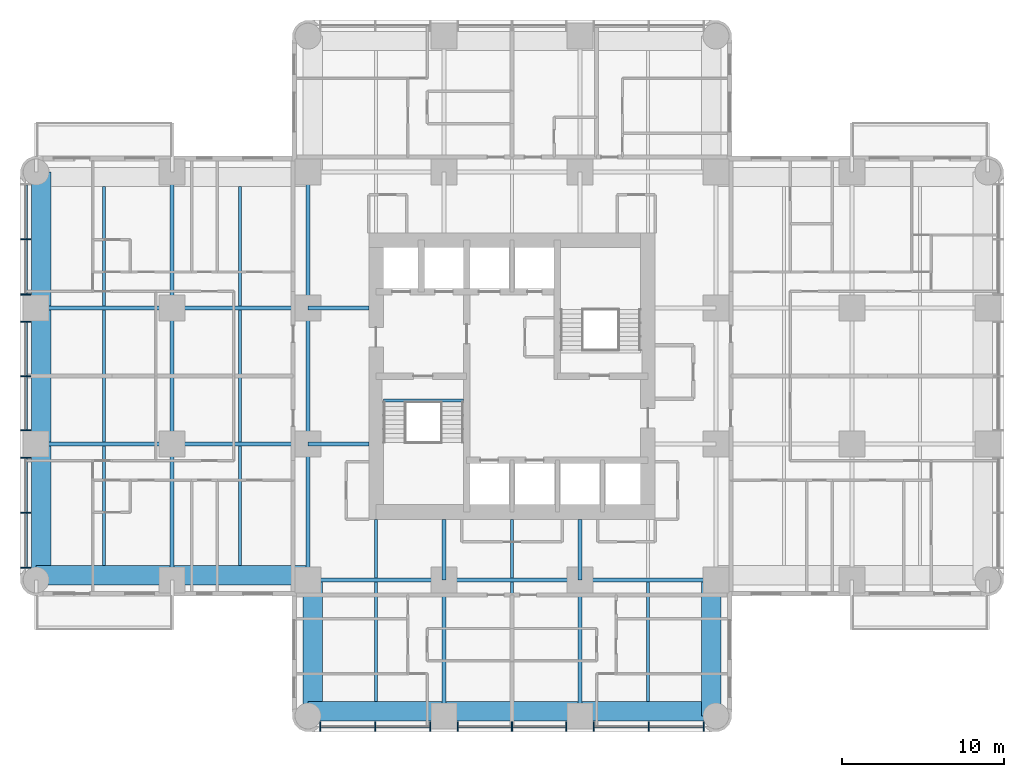
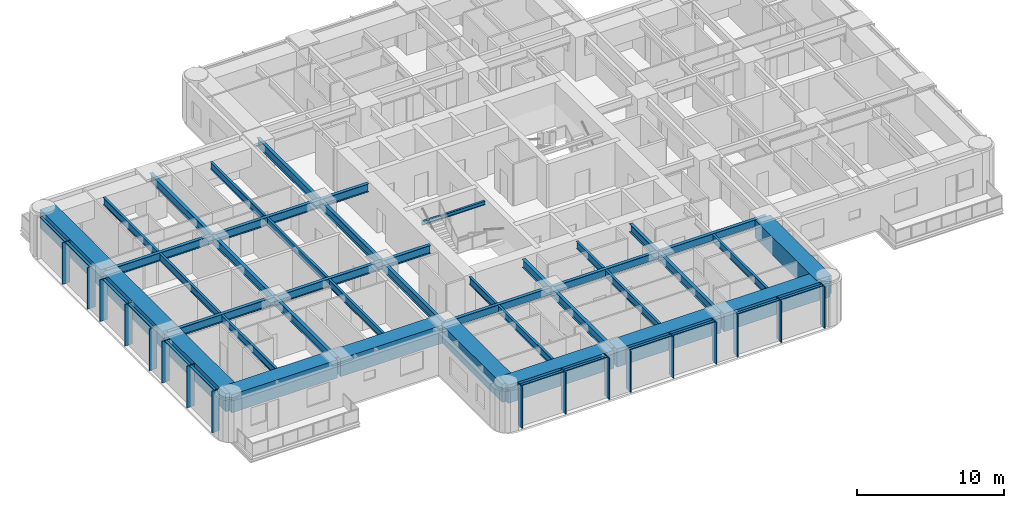
# One storey, part 2 of 15: 41 beams, 29 members, 2 elements without a shape of their own.
"""IFC4 building model written with IfcOpenShell, lengths in metres."""

from ifc_helpers import new_model, si_unit, direction, frame, origin, origin_2d, place, context, subcontext, project, spatial, rectangle, i_section, extrude, material, material_profile, profile_set, type_object, element, aggregate, save


model = new_model("IFC4")

# Units and contexts
model_context = context("Model", 3, precision=1e-05, world=origin(), true_north=direction((0.0, 1.0)))
body_context = subcontext(model_context, "Body", "Model", "MODEL_VIEW")
ifc_project = project(units=[si_unit("LENGTHUNIT", "METRE"), si_unit("AREAUNIT", "SQUARE_METRE"), si_unit("VOLUMEUNIT", "CUBIC_METRE"), si_unit("PLANEANGLEUNIT", "RADIAN"), si_unit("MASSUNIT", "GRAM", prefix="KILO")], contexts=[model_context])

# Site, building, storey
site_placement = place(None, origin())
site = spatial("IfcSite", under=ifc_project, at=site_placement, CompositionType="ELEMENT")
building_placement = place(site_placement, origin())
building = spatial("IfcBuilding", under=site, at=building_placement, Name="Torre Alcanfor", CompositionType="ELEMENT")
storey_placement = place(building_placement, frame((0.0, 0.0, 148.5)))
storey = spatial("IfcBuildingStorey", under=building, at=storey_placement, Name="L38", CompositionType="ELEMENT", Elevation=148.5)

# Curtain wall, members
ifc_material_1 = material(Name="Aluminium and glass", Category="aluminium")
curtain_wall_type = type_object("IfcCurtainWallType", Name="CW-A unitised apartment glazing with vertical FIN", PredefinedType="NOTDEFINED", material=ifc_material_1)
curtain_wall_1_placement = place(storey_placement, origin())
curtain_wall_1 = element("IfcCurtainWall", 1, at=curtain_wall_1_placement, inside=storey, type_object=curtain_wall_type, Name="Curtain wall CW-A L38 2", PredefinedType="NOTDEFINED")
ifc_material_2 = material(Name="Bronze anodised aluminium", Category="aluminium")
ifc_material_profile_1 = material_profile(ifc_material_2, rectangle(XDim=0.60009765625, YDim=0.06494140625, at=origin_2d()), Name="CW-A mullion 65x600")
ifc_profile_set_1 = profile_set([ifc_material_profile_1], Name="Bronze anodised aluminium")
member_type_1 = type_object("IfcMemberType", Name="CW-A mullion with vertical FIN 65x600", PredefinedType="MULLION", material=ifc_profile_set_1)
member_1_placement = place(storey_placement, frame((-0.64990234375, 37.840087890625, 0.0), z_axis=(0.0, 0.0, 1.0), x_axis=(1.0, 0.0, 0.0)))
member_1 = element("IfcMember", 2, at=member_1_placement, type_object=member_type_1, Name="CW-A mullion 1.2", PredefinedType="MULLION", context=body_context, shape_type="SweptSolid", body=[
    extrude(rectangle(XDim=0.60009765625, YDim=0.06494140625, at=origin_2d()), origin(), (0.0, 0.0, 1.0), 3.449951171875),
])
member_2_placement = place(storey_placement, frame((-0.64990234375, 34.4375, 0.0), z_axis=(0.0, 0.0, 1.0), x_axis=(1.0, 0.0, 0.0)))
member_2 = element("IfcMember", 3, at=member_2_placement, type_object=member_type_1, Name="CW-A mullion 1.3", PredefinedType="MULLION", context=body_context, shape_type="SweptSolid", body=[
    extrude(rectangle(XDim=0.60009765625, YDim=0.06494140625, at=origin_2d()), origin(), (0.0, 0.0, 1.0), 3.449951171875),
])
member_3_placement = place(storey_placement, frame((-0.64990234375, 32.762451171875, 0.0), z_axis=(0.0, 0.0, 1.0), x_axis=(1.0, 0.0, 0.0)))
member_3 = element("IfcMember", 4, at=member_3_placement, type_object=member_type_1, Name="CW-A mullion 2.1", PredefinedType="MULLION", context=body_context, shape_type="SweptSolid", body=[
    extrude(rectangle(XDim=0.60009765625, YDim=0.06494140625, at=origin_2d()), origin(), (0.0, 0.0, 1.0), 3.449951171875),
])
member_4_placement = place(storey_placement, frame((-0.64990234375, 29.39990234375, 0.0), z_axis=(0.0, 0.0, 1.0), x_axis=(1.0, 0.0, 0.0)))
member_4 = element("IfcMember", 5, at=member_4_placement, type_object=member_type_1, Name="CW-A mullion 2.2", PredefinedType="MULLION", context=body_context, shape_type="SweptSolid", body=[
    extrude(rectangle(XDim=0.60009765625, YDim=0.06494140625, at=origin_2d()), origin(), (0.0, 0.0, 1.0), 3.449951171875),
])
member_5_placement = place(storey_placement, frame((-0.64990234375, 26.03759765625, 0.0), z_axis=(0.0, 0.0, 1.0), x_axis=(1.0, 0.0, 0.0)))
member_5 = element("IfcMember", 6, at=member_5_placement, type_object=member_type_1, Name="CW-A mullion 2.3", PredefinedType="MULLION", context=body_context, shape_type="SweptSolid", body=[
    extrude(rectangle(XDim=0.60009765625, YDim=0.06494140625, at=origin_2d()), origin(), (0.0, 0.0, 1.0), 3.449951171875),
])
member_6_placement = place(storey_placement, frame((-0.64990234375, 24.362548828125, 0.0), z_axis=(0.0, 0.0, 1.0), x_axis=(1.0, 0.0, 0.0)))
member_6 = element("IfcMember", 7, at=member_6_placement, type_object=member_type_1, Name="CW-A mullion 3.1", PredefinedType="MULLION", context=body_context, shape_type="SweptSolid", body=[
    extrude(rectangle(XDim=0.60009765625, YDim=0.06494140625, at=origin_2d()), origin(), (0.0, 0.0, 1.0), 3.449951171875),
])
member_7_placement = place(storey_placement, frame((-0.64990234375, 20.9599609375, 0.0), z_axis=(0.0, 0.0, 1.0), x_axis=(1.0, 0.0, 0.0)))
member_7 = element("IfcMember", 8, at=member_7_placement, type_object=member_type_1, Name="CW-A mullion 3.2", PredefinedType="MULLION", context=body_context, shape_type="SweptSolid", body=[
    extrude(rectangle(XDim=0.60009765625, YDim=0.06494140625, at=origin_2d()), origin(), (0.0, 0.0, 1.0), 3.449951171875),
])
member_8_placement = place(storey_placement, frame((-0.64990234375, 17.557373046875, 0.0), z_axis=(0.0, 0.0, 1.0), x_axis=(1.0, 0.0, 0.0)))
member_8 = element("IfcMember", 9, at=member_8_placement, type_object=member_type_1, Name="CW-A mullion 3.3", PredefinedType="MULLION", context=body_context, shape_type="SweptSolid", body=[
    extrude(rectangle(XDim=0.60009765625, YDim=0.06494140625, at=origin_2d()), origin(), (0.0, 0.0, 1.0), 3.449951171875),
])

curtain_wall_2_placement = place(storey_placement, origin())
curtain_wall_2 = element("IfcCurtainWall", 10, at=curtain_wall_2_placement, inside=storey, type_object=curtain_wall_type, Name="Curtain wall CW-A L38 5", PredefinedType="NOTDEFINED")
member_9_placement = place(storey_placement, frame((17.557373046875, 7.75, 0.0), z_axis=(0.0, 0.0, 1.0), x_axis=(0.0, 1.0, 0.0)))
member_9 = element("IfcMember", 11, at=member_9_placement, type_object=member_type_1, Name="CW-A mullion 1.1", PredefinedType="MULLION", context=body_context, shape_type="SweptSolid", body=[
    extrude(rectangle(XDim=0.60009765625, YDim=0.06494140625, at=origin_2d()), origin(), (0.0, 0.0, 1.0), 3.449951171875),
])
member_10_placement = place(storey_placement, frame((20.9599609375, 7.75, 0.0), z_axis=(0.0, 0.0, 1.0), x_axis=(0.0, 1.0, 0.0)))
member_10 = element("IfcMember", 12, at=member_10_placement, type_object=member_type_1, Name="CW-A mullion 1.2", PredefinedType="MULLION", context=body_context, shape_type="SweptSolid", body=[
    extrude(rectangle(XDim=0.60009765625, YDim=0.06494140625, at=origin_2d()), origin(), (0.0, 0.0, 1.0), 3.449951171875),
])
member_11_placement = place(storey_placement, frame((24.362548828125, 7.75, 0.0), z_axis=(0.0, 0.0, 1.0), x_axis=(0.0, 1.0, 0.0)))
member_11 = element("IfcMember", 13, at=member_11_placement, type_object=member_type_1, Name="CW-A mullion 1.3", PredefinedType="MULLION", context=body_context, shape_type="SweptSolid", body=[
    extrude(rectangle(XDim=0.60009765625, YDim=0.06494140625, at=origin_2d()), origin(), (0.0, 0.0, 1.0), 3.449951171875),
])
member_12_placement = place(storey_placement, frame((26.03759765625, 7.75, 0.0), z_axis=(0.0, 0.0, 1.0), x_axis=(0.0, 1.0, 0.0)))
member_12 = element("IfcMember", 14, at=member_12_placement, type_object=member_type_1, Name="CW-A mullion 2.1", PredefinedType="MULLION", context=body_context, shape_type="SweptSolid", body=[
    extrude(rectangle(XDim=0.60009765625, YDim=0.06494140625, at=origin_2d()), origin(), (0.0, 0.0, 1.0), 3.449951171875),
])
member_13_placement = place(storey_placement, frame((29.39990234375, 7.75, 0.0), z_axis=(0.0, 0.0, 1.0), x_axis=(0.0, 1.0, 0.0)))
member_13 = element("IfcMember", 15, at=member_13_placement, type_object=member_type_1, Name="CW-A mullion 2.2", PredefinedType="MULLION", context=body_context, shape_type="SweptSolid", body=[
    extrude(rectangle(XDim=0.60009765625, YDim=0.06494140625, at=origin_2d()), origin(), (0.0, 0.0, 1.0), 3.449951171875),
])
member_14_placement = place(storey_placement, frame((32.762451171875, 7.75, 0.0), z_axis=(0.0, 0.0, 1.0), x_axis=(0.0, 1.0, 0.0)))
member_14 = element("IfcMember", 16, at=member_14_placement, type_object=member_type_1, Name="CW-A mullion 2.3", PredefinedType="MULLION", context=body_context, shape_type="SweptSolid", body=[
    extrude(rectangle(XDim=0.60009765625, YDim=0.06494140625, at=origin_2d()), origin(), (0.0, 0.0, 1.0), 3.449951171875),
])
member_15_placement = place(storey_placement, frame((34.4375, 7.75, 0.0), z_axis=(0.0, 0.0, 1.0), x_axis=(0.0, 1.0, 0.0)))
member_15 = element("IfcMember", 17, at=member_15_placement, type_object=member_type_1, Name="CW-A mullion 3.1", PredefinedType="MULLION", context=body_context, shape_type="SweptSolid", body=[
    extrude(rectangle(XDim=0.60009765625, YDim=0.06494140625, at=origin_2d()), origin(), (0.0, 0.0, 1.0), 3.449951171875),
])
member_16_placement = place(storey_placement, frame((37.840087890625, 7.75, 0.0), z_axis=(0.0, 0.0, 1.0), x_axis=(0.0, 1.0, 0.0)))
member_16 = element("IfcMember", 18, at=member_16_placement, type_object=member_type_1, Name="CW-A mullion 3.2", PredefinedType="MULLION", context=body_context, shape_type="SweptSolid", body=[
    extrude(rectangle(XDim=0.60009765625, YDim=0.06494140625, at=origin_2d()), origin(), (0.0, 0.0, 1.0), 3.449951171875),
])
member_17_placement = place(storey_placement, frame((41.24267578125, 7.75, 0.0), z_axis=(0.0, 0.0, 1.0), x_axis=(0.0, 1.0, 0.0)))
member_17 = element("IfcMember", 19, at=member_17_placement, type_object=member_type_1, Name="CW-A mullion 3.3", PredefinedType="MULLION", context=body_context, shape_type="SweptSolid", body=[
    extrude(rectangle(XDim=0.60009765625, YDim=0.06494140625, at=origin_2d()), origin(), (0.0, 0.0, 1.0), 3.449951171875),
])

# Member
ifc_material_3 = material(Name="Extruded aluminium", Category="aluminium")
ifc_material_profile_2 = material_profile(ifc_material_3, rectangle(XDim=0.199951171875, YDim=0.06494140625, at=origin_2d()), Name="CW-A transom 200x65")
ifc_profile_set_2 = profile_set([ifc_material_profile_2], Name="Extruded aluminium")
member_type_2 = type_object("IfcMemberType", Name="CW-A transom 65x200", PredefinedType="USERDEFINED", material=ifc_profile_set_2)
member_18_placement = place(storey_placement, frame((-0.64990234375, 41.210205078125, 3.41748046875), z_axis=(0.0, -1.0, 0.0), x_axis=(1.0, 0.0, 0.0)))
member_18 = element("IfcMember", 20, at=member_18_placement, type_object=member_type_2, Name="CW-A transom 1.1.2", ObjectType="TRANSOM", PredefinedType="USERDEFINED", context=body_context, shape_type="SweptSolid", body=[
    extrude(rectangle(XDim=0.199951171875, YDim=0.06494140625, at=origin_2d()), origin(), (0.0, 0.0, 1.0), 3.337646484375),
])

member_19_placement = place(storey_placement, frame((-0.64990234375, 37.8076171875, 3.41748046875), z_axis=(0.0, -1.0, 0.0), x_axis=(1.0, 0.0, 0.0)))
member_19 = element("IfcMember", 21, at=member_19_placement, type_object=member_type_2, Name="CW-A transom 1.2.2", ObjectType="TRANSOM", PredefinedType="USERDEFINED", context=body_context, shape_type="SweptSolid", body=[
    extrude(rectangle(XDim=0.199951171875, YDim=0.06494140625, at=origin_2d()), origin(), (0.0, 0.0, 1.0), 3.337646484375),
])

member_20_placement = place(storey_placement, frame((-0.64990234375, 32.72998046875, 3.41748046875), z_axis=(0.0, -1.0, 0.0), x_axis=(1.0, 0.0, 0.0)))
member_20 = element("IfcMember", 22, at=member_20_placement, type_object=member_type_2, Name="CW-A transom 2.1.2", ObjectType="TRANSOM", PredefinedType="USERDEFINED", context=body_context, shape_type="SweptSolid", body=[
    extrude(rectangle(XDim=0.199951171875, YDim=0.06494140625, at=origin_2d()), origin(), (0.0, 0.0, 1.0), 3.29736328125),
])

member_21_placement = place(storey_placement, frame((-0.64990234375, 29.367431640625, 3.41748046875), z_axis=(0.0, -1.0, 0.0), x_axis=(1.0, 0.0, 0.0)))
member_21 = element("IfcMember", 23, at=member_21_placement, type_object=member_type_2, Name="CW-A transom 2.2.2", ObjectType="TRANSOM", PredefinedType="USERDEFINED", context=body_context, shape_type="SweptSolid", body=[
    extrude(rectangle(XDim=0.199951171875, YDim=0.06494140625, at=origin_2d()), origin(), (0.0, 0.0, 1.0), 3.29736328125),
])

member_22_placement = place(storey_placement, frame((-0.64990234375, 24.330078125, 3.41748046875), z_axis=(0.0, -1.0, 0.0), x_axis=(1.0, 0.0, 0.0)))
member_22 = element("IfcMember", 24, at=member_22_placement, type_object=member_type_2, Name="CW-A transom 3.1.2", ObjectType="TRANSOM", PredefinedType="USERDEFINED", context=body_context, shape_type="SweptSolid", body=[
    extrude(rectangle(XDim=0.199951171875, YDim=0.06494140625, at=origin_2d()), origin(), (0.0, 0.0, 1.0), 3.337646484375),
])

member_23_placement = place(storey_placement, frame((-0.64990234375, 20.927490234375, 3.41748046875), z_axis=(0.0, -1.0, 0.0), x_axis=(1.0, 0.0, 0.0)))
member_23 = element("IfcMember", 25, at=member_23_placement, type_object=member_type_2, Name="CW-A transom 3.2.2", ObjectType="TRANSOM", PredefinedType="USERDEFINED", context=body_context, shape_type="SweptSolid", body=[
    extrude(rectangle(XDim=0.199951171875, YDim=0.06494140625, at=origin_2d()), origin(), (0.0, 0.0, 1.0), 3.337646484375),
])

aggregate(curtain_wall_1, [member_1, member_2, member_18, member_19, member_3, member_4, member_5, member_20, member_21, member_6, member_7, member_8, member_22, member_23])

member_24_placement = place(storey_placement, frame((17.58984375, 7.75, 3.41748046875), z_axis=(1.0, 0.0, 0.0), x_axis=(0.0, 1.0, 0.0)))
member_24 = element("IfcMember", 26, at=member_24_placement, type_object=member_type_2, Name="CW-A transom 1.1.2", ObjectType="TRANSOM", PredefinedType="USERDEFINED", context=body_context, shape_type="SweptSolid", body=[
    extrude(rectangle(XDim=0.199951171875, YDim=0.06494140625, at=origin_2d()), origin(), (0.0, 0.0, 1.0), 3.337646484375),
])

member_25_placement = place(storey_placement, frame((20.992431640625, 7.75, 3.41748046875), z_axis=(1.0, 0.0, 0.0), x_axis=(0.0, 1.0, 0.0)))
member_25 = element("IfcMember", 27, at=member_25_placement, type_object=member_type_2, Name="CW-A transom 1.2.2", ObjectType="TRANSOM", PredefinedType="USERDEFINED", context=body_context, shape_type="SweptSolid", body=[
    extrude(rectangle(XDim=0.199951171875, YDim=0.06494140625, at=origin_2d()), origin(), (0.0, 0.0, 1.0), 3.337646484375),
])

member_26_placement = place(storey_placement, frame((26.070068359375, 7.75, 3.41748046875), z_axis=(1.0, 0.0, 0.0), x_axis=(0.0, 1.0, 0.0)))
member_26 = element("IfcMember", 28, at=member_26_placement, type_object=member_type_2, Name="CW-A transom 2.1.2", ObjectType="TRANSOM", PredefinedType="USERDEFINED", context=body_context, shape_type="SweptSolid", body=[
    extrude(rectangle(XDim=0.199951171875, YDim=0.06494140625, at=origin_2d()), origin(), (0.0, 0.0, 1.0), 3.29736328125),
])

member_27_placement = place(storey_placement, frame((29.4326171875, 7.75, 3.41748046875), z_axis=(1.0, 0.0, 0.0), x_axis=(0.0, 1.0, 0.0)))
member_27 = element("IfcMember", 29, at=member_27_placement, type_object=member_type_2, Name="CW-A transom 2.2.2", ObjectType="TRANSOM", PredefinedType="USERDEFINED", context=body_context, shape_type="SweptSolid", body=[
    extrude(rectangle(XDim=0.199951171875, YDim=0.06494140625, at=origin_2d()), origin(), (0.0, 0.0, 1.0), 3.29736328125),
])

member_28_placement = place(storey_placement, frame((34.469970703125, 7.75, 3.41748046875), z_axis=(1.0, 0.0, 0.0), x_axis=(0.0, 1.0, 0.0)))
member_28 = element("IfcMember", 30, at=member_28_placement, type_object=member_type_2, Name="CW-A transom 3.1.2", ObjectType="TRANSOM", PredefinedType="USERDEFINED", context=body_context, shape_type="SweptSolid", body=[
    extrude(rectangle(XDim=0.199951171875, YDim=0.06494140625, at=origin_2d()), origin(), (0.0, 0.0, 1.0), 3.337646484375),
])

member_29_placement = place(storey_placement, frame((37.87255859375, 7.75, 3.41748046875), z_axis=(1.0, 0.0, 0.0), x_axis=(0.0, 1.0, 0.0)))
member_29 = element("IfcMember", 31, at=member_29_placement, type_object=member_type_2, Name="CW-A transom 3.2.2", ObjectType="TRANSOM", PredefinedType="USERDEFINED", context=body_context, shape_type="SweptSolid", body=[
    extrude(rectangle(XDim=0.199951171875, YDim=0.06494140625, at=origin_2d()), origin(), (0.0, 0.0, 1.0), 3.337646484375),
])

aggregate(curtain_wall_2, [member_9, member_10, member_11, member_24, member_25, member_12, member_13, member_14, member_26, member_27, member_15, member_16, member_17, member_28, member_29])

# Beams
ifc_material_4 = material(Name="Steel ASTM A992 Grade 50", Category="steel")
ifc_material_profile_3 = material_profile(ifc_material_4, i_section(OverallWidth=0.25390625, OverallDepth=0.683349609375, WebThickness=0.012451171875, FlangeThickness=0.01904296875, at=origin_2d()), Name="W27x94")
ifc_profile_set_3 = profile_set([ifc_material_profile_3], Name="Steel ASTM A992 Grade 50")
beam_type_1 = type_object("IfcBeamType", Name="Girder W27x94", PredefinedType="BEAM", material=ifc_profile_set_3)
beam_1_placement = place(storey_placement, frame((16.800048828125, 16.800048828125, 3.1083984375), z_axis=(1.0, 0.0, 0.0), x_axis=(0.0, 1.0, 0.0)))
element("IfcBeam", 32, at=beam_1_placement, inside=storey, type_object=beam_type_1, Name="Beam 3E-4E under L39", PredefinedType="BEAM", context=body_context, shape_type="SweptSolid", body=[
    extrude(i_section(OverallWidth=0.25390625, OverallDepth=0.683349609375, WebThickness=0.012451171875, FlangeThickness=0.01904296875, at=origin_2d()), origin(), (0.0, 0.0, 1.0), 8.39990234375),
])
beam_2_placement = place(storey_placement, frame((25.199951171875, 16.800048828125, 3.1083984375), z_axis=(1.0, 0.0, 0.0), x_axis=(0.0, 1.0, 0.0)))
element("IfcBeam", 33, at=beam_2_placement, inside=storey, type_object=beam_type_1, Name="Beam 4E-5E under L39", PredefinedType="BEAM", context=body_context, shape_type="SweptSolid", body=[
    extrude(i_section(OverallWidth=0.25390625, OverallDepth=0.683349609375, WebThickness=0.012451171875, FlangeThickness=0.01904296875, at=origin_2d()), origin(), (0.0, 0.0, 1.0), 8.400146484375),
])
for number, where, z_axis, x_axis, name in (
    (34, (33.60009765625, 16.800048828125, 3.1083984375), (1.0, 0.0, 0.0), (0.0, 1.0, 0.0), "Beam 5E-6E under L39"),
    (35, (0.0, 25.199951171875, 3.1083984375), (1.0, 0.0, 0.0), (0.0, 1.0, 0.0), "Beam 1F-2F under L39"),
):
    element("IfcBeam", number, at=place(storey_placement, frame(where, z_axis=z_axis, x_axis=x_axis)), inside=storey, type_object=beam_type_1, Name=name, PredefinedType="BEAM", context=body_context, shape_type="SweptSolid", body=[
        extrude(i_section(OverallWidth=0.25390625, OverallDepth=0.683349609375, WebThickness=0.012451171875, FlangeThickness=0.01904296875, at=origin_2d()), origin(), (0.0, 0.0, 1.0), 8.39990234375),
    ])
beam_3_placement = place(storey_placement, frame((8.39990234375, 25.199951171875, 3.1083984375), z_axis=(1.0, 0.0, 0.0), x_axis=(0.0, 1.0, 0.0)))
element("IfcBeam", 36, at=beam_3_placement, inside=storey, type_object=beam_type_1, Name="Beam 2F-3F under L39", PredefinedType="BEAM", context=body_context, shape_type="SweptSolid", body=[
    extrude(i_section(OverallWidth=0.25390625, OverallDepth=0.683349609375, WebThickness=0.012451171875, FlangeThickness=0.01904296875, at=origin_2d()), origin(), (0.0, 0.0, 1.0), 8.400146484375),
])
beam_4_placement = place(storey_placement, frame((0.0, 33.60009765625, 3.1083984375), z_axis=(1.0, 0.0, 0.0), x_axis=(0.0, 1.0, 0.0)))
element("IfcBeam", 37, at=beam_4_placement, inside=storey, type_object=beam_type_1, Name="Beam 1G-2G under L39", PredefinedType="BEAM", context=body_context, shape_type="SweptSolid", body=[
    extrude(i_section(OverallWidth=0.25390625, OverallDepth=0.683349609375, WebThickness=0.012451171875, FlangeThickness=0.01904296875, at=origin_2d()), origin(), (0.0, 0.0, 1.0), 8.39990234375),
])
beam_5_placement = place(storey_placement, frame((8.39990234375, 33.60009765625, 3.1083984375), z_axis=(1.0, 0.0, 0.0), x_axis=(0.0, 1.0, 0.0)))
element("IfcBeam", 38, at=beam_5_placement, inside=storey, type_object=beam_type_1, Name="Beam 2G-3G under L39", PredefinedType="BEAM", context=body_context, shape_type="SweptSolid", body=[
    extrude(i_section(OverallWidth=0.25390625, OverallDepth=0.683349609375, WebThickness=0.012451171875, FlangeThickness=0.01904296875, at=origin_2d()), origin(), (0.0, 0.0, 1.0), 8.400146484375),
])
beam_6_placement = place(storey_placement, frame((8.39990234375, 16.800048828125, 3.1083984375), z_axis=(0.0, 1.0, 0.0), x_axis=(-1.0, 0.0, 0.0)))
element("IfcBeam", 39, at=beam_6_placement, inside=storey, type_object=beam_type_1, Name="Beam 2E-2F under L39", PredefinedType="BEAM", context=body_context, shape_type="SweptSolid", body=[
    extrude(i_section(OverallWidth=0.25390625, OverallDepth=0.683349609375, WebThickness=0.012451171875, FlangeThickness=0.01904296875, at=origin_2d()), origin(), (0.0, 0.0, 1.0), 8.39990234375),
])
beam_7_placement = place(storey_placement, frame((8.39990234375, 25.199951171875, 3.1083984375), z_axis=(0.0, 1.0, 0.0), x_axis=(-1.0, 0.0, 0.0)))
element("IfcBeam", 40, at=beam_7_placement, inside=storey, type_object=beam_type_1, Name="Beam 2F-2G under L39", PredefinedType="BEAM", context=body_context, shape_type="SweptSolid", body=[
    extrude(i_section(OverallWidth=0.25390625, OverallDepth=0.683349609375, WebThickness=0.012451171875, FlangeThickness=0.01904296875, at=origin_2d()), origin(), (0.0, 0.0, 1.0), 8.400146484375),
])
for number, where, z_axis, x_axis, name in (
    (41, (8.39990234375, 33.60009765625, 3.1083984375), (0.0, 1.0, 0.0), (-1.0, 0.0, 0.0), "Beam 2G-2H under L39"),
    (42, (16.800048828125, 16.800048828125, 3.1083984375), (0.0, 1.0, 0.0), (-1.0, 0.0, 0.0), "Beam 3E-3F under L39"),
):
    element("IfcBeam", number, at=place(storey_placement, frame(where, z_axis=z_axis, x_axis=x_axis)), inside=storey, type_object=beam_type_1, Name=name, PredefinedType="BEAM", context=body_context, shape_type="SweptSolid", body=[
        extrude(i_section(OverallWidth=0.25390625, OverallDepth=0.683349609375, WebThickness=0.012451171875, FlangeThickness=0.01904296875, at=origin_2d()), origin(), (0.0, 0.0, 1.0), 8.39990234375),
    ])
beam_8_placement = place(storey_placement, frame((16.800048828125, 25.199951171875, 3.1083984375), z_axis=(0.0, 1.0, 0.0), x_axis=(-1.0, 0.0, 0.0)))
element("IfcBeam", 43, at=beam_8_placement, inside=storey, type_object=beam_type_1, Name="Beam 3F-3G under L39", PredefinedType="BEAM", context=body_context, shape_type="SweptSolid", body=[
    extrude(i_section(OverallWidth=0.25390625, OverallDepth=0.683349609375, WebThickness=0.012451171875, FlangeThickness=0.01904296875, at=origin_2d()), origin(), (0.0, 0.0, 1.0), 8.400146484375),
])
beam_9_placement = place(storey_placement, frame((16.800048828125, 33.60009765625, 3.1083984375), z_axis=(0.0, 1.0, 0.0), x_axis=(-1.0, 0.0, 0.0)))
element("IfcBeam", 44, at=beam_9_placement, inside=storey, type_object=beam_type_1, Name="Beam 3G-3H under L39", PredefinedType="BEAM", context=body_context, shape_type="SweptSolid", body=[
    extrude(i_section(OverallWidth=0.25390625, OverallDepth=0.683349609375, WebThickness=0.012451171875, FlangeThickness=0.01904296875, at=origin_2d()), origin(), (0.0, 0.0, 1.0), 8.39990234375),
])
for number, where, z_axis, x_axis, name in (
    (45, (25.199951171875, 8.39990234375, 3.1083984375), (0.0, 1.0, 0.0), (-1.0, 0.0, 0.0), "Beam 4D-4E under L39"),
    (46, (33.60009765625, 8.39990234375, 3.1083984375), (0.0, 1.0, 0.0), (-1.0, 0.0, 0.0), "Beam 5D-5E under L39"),
):
    element("IfcBeam", number, at=place(storey_placement, frame(where, z_axis=z_axis, x_axis=x_axis)), inside=storey, type_object=beam_type_1, Name=name, PredefinedType="BEAM", context=body_context, shape_type="SweptSolid", body=[
        extrude(i_section(OverallWidth=0.25390625, OverallDepth=0.683349609375, WebThickness=0.012451171875, FlangeThickness=0.01904296875, at=origin_2d()), origin(), (0.0, 0.0, 1.0), 8.400146484375),
    ])
ifc_material_5 = material(Name="Steel ASTM A992 Grade 50", Category="steel")
ifc_material_profile_4 = material_profile(ifc_material_5, i_section(OverallWidth=0.25390625, OverallDepth=0.683349609375, WebThickness=0.012451171875, FlangeThickness=0.01904296875, at=origin_2d()), Name="W27x94")
ifc_profile_set_4 = profile_set([ifc_material_profile_4], Name="Steel ASTM A992 Grade 50")
beam_type_2 = type_object("IfcBeamType", Name="Girder, part bay W27x94", PredefinedType="BEAM", material=ifc_profile_set_4)
for number, where, z_axis, x_axis, name in (
    (47, (25.199951171875, 16.800048828125, 3.1083984375), (0.0, 1.0, 0.0), (-1.0, 0.0, 0.0), "Beam 4E-420_55 under L39"),
    (48, (33.60009765625, 16.800048828125, 3.1083984375), (0.0, 1.0, 0.0), (-1.0, 0.0, 0.0), "Beam 5E-520_55 under L39"),
    (49, (16.800048828125, 25.199951171875, 3.1083984375), (1.0, 0.0, 0.0), (0.0, 1.0, 0.0), "Beam 3F-20_55F under L39"),
    (50, (16.800048828125, 33.60009765625, 3.1083984375), (1.0, 0.0, 0.0), (0.0, 1.0, 0.0), "Beam 3G-20_55G under L39"),
):
    element("IfcBeam", number, at=place(storey_placement, frame(where, z_axis=z_axis, x_axis=x_axis)), inside=storey, type_object=beam_type_2, Name=name, PredefinedType="BEAM", context=body_context, shape_type="SweptSolid", body=[
        extrude(i_section(OverallWidth=0.25390625, OverallDepth=0.683349609375, WebThickness=0.012451171875, FlangeThickness=0.01904296875, at=origin_2d()), origin(), (0.0, 0.0, 1.0), 3.75),
    ])
ifc_material_6 = material(Name="Concrete f'c 70 MPa", Category="concrete")
ifc_material_profile_5 = material_profile(ifc_material_6, rectangle(XDim=1.199951171875, YDim=1.5, at=origin_2d()), Name="1200x1500")
ifc_profile_set_5 = profile_set([ifc_material_profile_5], Name="Concrete f'c 70 MPa")
beam_type_3 = type_object("IfcBeamType", Name="RC perimeter beam 1200x1500", PredefinedType="BEAM", material=ifc_profile_set_5)
beam_10_placement = place(storey_placement, frame((16.800048828125, 8.699951171875, 2.699951171875), z_axis=(1.0, 0.0, 0.0), x_axis=(0.0, 1.0, 0.0)))
element("IfcBeam", 51, at=beam_10_placement, inside=storey, type_object=beam_type_3, Name="Beam 3D-4D under L39", PredefinedType="BEAM", context=body_context, shape_type="SweptSolid", body=[
    extrude(rectangle(XDim=1.199951171875, YDim=1.5, at=origin_2d()), origin(), (0.0, 0.0, 1.0), 8.27294921875),
])
beam_11_placement = place(storey_placement, frame((25.326904296875, 8.699951171875, 2.699951171875), z_axis=(1.0, 0.0, 0.0), x_axis=(0.0, 1.0, 0.0)))
element("IfcBeam", 52, at=beam_11_placement, inside=storey, type_object=beam_type_3, Name="Beam 4D-5D under L39", PredefinedType="BEAM", context=body_context, shape_type="SweptSolid", body=[
    extrude(rectangle(XDim=1.199951171875, YDim=1.5, at=origin_2d()), origin(), (0.0, 0.0, 1.0), 8.14599609375),
])
for number, where, z_axis, x_axis, name in (
    (53, (33.72705078125, 8.699951171875, 2.699951171875), (1.0, 0.0, 0.0), (0.0, 1.0, 0.0), "Beam 5D-6D under L39"),
    (54, (0.0, 17.10009765625, 2.699951171875), (1.0, 0.0, 0.0), (0.0, 1.0, 0.0), "Beam 1E-2E under L39"),
):
    element("IfcBeam", number, at=place(storey_placement, frame(where, z_axis=z_axis, x_axis=x_axis)), inside=storey, type_object=beam_type_3, Name=name, PredefinedType="BEAM", context=body_context, shape_type="SweptSolid", body=[
        extrude(rectangle(XDim=1.199951171875, YDim=1.5, at=origin_2d()), origin(), (0.0, 0.0, 1.0), 8.27294921875),
    ])
beam_12_placement = place(storey_placement, frame((8.527099609375, 17.10009765625, 2.699951171875), z_axis=(1.0, 0.0, 0.0), x_axis=(0.0, 1.0, 0.0)))
element("IfcBeam", 55, at=beam_12_placement, inside=storey, type_object=beam_type_3, Name="Beam 2E-3E under L39", PredefinedType="BEAM", context=body_context, shape_type="SweptSolid", body=[
    extrude(rectangle(XDim=1.199951171875, YDim=1.5, at=origin_2d()), origin(), (0.0, 0.0, 1.0), 8.39990234375),
])
beam_13_placement = place(storey_placement, frame((0.300048828125, 16.800048828125, 2.699951171875), z_axis=(0.0, 1.0, 0.0), x_axis=(-1.0, 0.0, 0.0)))
element("IfcBeam", 56, at=beam_13_placement, inside=storey, type_object=beam_type_3, Name="Beam 1E-1F under L39", PredefinedType="BEAM", context=body_context, shape_type="SweptSolid", body=[
    extrude(rectangle(XDim=1.199951171875, YDim=1.5, at=origin_2d()), origin(), (0.0, 0.0, 1.0), 8.27294921875),
])
beam_14_placement = place(storey_placement, frame((0.300048828125, 25.326904296875, 2.699951171875), z_axis=(0.0, 1.0, 0.0), x_axis=(-1.0, 0.0, 0.0)))
element("IfcBeam", 57, at=beam_14_placement, inside=storey, type_object=beam_type_3, Name="Beam 1F-1G under L39", PredefinedType="BEAM", context=body_context, shape_type="SweptSolid", body=[
    extrude(rectangle(XDim=1.199951171875, YDim=1.5, at=origin_2d()), origin(), (0.0, 0.0, 1.0), 8.14599609375),
])
beam_15_placement = place(storey_placement, frame((0.300048828125, 33.72705078125, 2.699951171875), z_axis=(0.0, 1.0, 0.0), x_axis=(-1.0, 0.0, 0.0)))
element("IfcBeam", 58, at=beam_15_placement, inside=storey, type_object=beam_type_3, Name="Beam 1G-1H under L39", PredefinedType="BEAM", context=body_context, shape_type="SweptSolid", body=[
    extrude(rectangle(XDim=1.199951171875, YDim=1.5, at=origin_2d()), origin(), (0.0, 0.0, 1.0), 8.27294921875),
])
for number, where, z_axis, x_axis, name in (
    (59, (17.10009765625, 8.39990234375, 2.699951171875), (0.0, 1.0, 0.0), (-1.0, 0.0, 0.0), "Beam 3D-3E under L39"),
    (60, (41.699951171875, 8.39990234375, 2.699951171875), (0.0, 1.0, 0.0), (-1.0, 0.0, 0.0), "Beam 6D-6E under L39"),
):
    element("IfcBeam", number, at=place(storey_placement, frame(where, z_axis=z_axis, x_axis=x_axis)), inside=storey, type_object=beam_type_3, Name=name, PredefinedType="BEAM", context=body_context, shape_type="SweptSolid", body=[
        extrude(rectangle(XDim=1.199951171875, YDim=1.5, at=origin_2d()), origin(), (0.0, 0.0, 1.0), 8.273193359375),
    ])
ifc_material_7 = material(Name="Steel ASTM A992 Grade 50", Category="steel")
ifc_material_profile_6 = material_profile(ifc_material_7, i_section(OverallWidth=0.1787109375, OverallDepth=0.60205078125, WebThickness=0.010986328125, FlangeThickness=0.014892578125, at=origin_2d()), Name="W24x62")
ifc_profile_set_6 = profile_set([ifc_material_profile_6], Name="Steel ASTM A992 Grade 50")
beam_type_4 = type_object("IfcBeamType", Name="Secondary beam W24x62", PredefinedType="BEAM", material=ifc_profile_set_6)
beam_16_placement = place(storey_placement, frame((4.199951171875, 17.699951171875, 3.14892578125), z_axis=(0.0, 1.0, 0.0), x_axis=(-1.0, 0.0, 0.0)))
element("IfcBeam", 61, at=beam_16_placement, inside=storey, type_object=beam_type_4, Name="Beam 4_2E-4_2F under L39", PredefinedType="BEAM", context=body_context, shape_type="SweptSolid", body=[
    extrude(i_section(OverallWidth=0.1787109375, OverallDepth=0.60205078125, WebThickness=0.010986328125, FlangeThickness=0.014892578125, at=origin_2d()), origin(), (0.0, 0.0, 1.0), 7.373046875),
])
beam_17_placement = place(storey_placement, frame((4.199951171875, 25.326904296875, 3.14892578125), z_axis=(0.0, 1.0, 0.0), x_axis=(-1.0, 0.0, 0.0)))
element("IfcBeam", 62, at=beam_17_placement, inside=storey, type_object=beam_type_4, Name="Beam 4_2F-4_2G under L39", PredefinedType="BEAM", context=body_context, shape_type="SweptSolid", body=[
    extrude(i_section(OverallWidth=0.1787109375, OverallDepth=0.60205078125, WebThickness=0.010986328125, FlangeThickness=0.014892578125, at=origin_2d()), origin(), (0.0, 0.0, 1.0), 8.14599609375),
])
for number, where, z_axis, x_axis, name in (
    (63, (4.199951171875, 33.72705078125, 3.14892578125), (0.0, 1.0, 0.0), (-1.0, 0.0, 0.0), "Beam 4_2G-4_2H under L39"),
    (64, (12.60009765625, 17.699951171875, 3.14892578125), (0.0, 1.0, 0.0), (-1.0, 0.0, 0.0), "Beam 12_6E-12_6F under L39"),
):
    element("IfcBeam", number, at=place(storey_placement, frame(where, z_axis=z_axis, x_axis=x_axis)), inside=storey, type_object=beam_type_4, Name=name, PredefinedType="BEAM", context=body_context, shape_type="SweptSolid", body=[
        extrude(i_section(OverallWidth=0.1787109375, OverallDepth=0.60205078125, WebThickness=0.010986328125, FlangeThickness=0.014892578125, at=origin_2d()), origin(), (0.0, 0.0, 1.0), 7.373046875),
    ])
beam_18_placement = place(storey_placement, frame((12.60009765625, 25.326904296875, 3.14892578125), z_axis=(0.0, 1.0, 0.0), x_axis=(-1.0, 0.0, 0.0)))
element("IfcBeam", 65, at=beam_18_placement, inside=storey, type_object=beam_type_4, Name="Beam 12_6F-12_6G under L39", PredefinedType="BEAM", context=body_context, shape_type="SweptSolid", body=[
    extrude(i_section(OverallWidth=0.1787109375, OverallDepth=0.60205078125, WebThickness=0.010986328125, FlangeThickness=0.014892578125, at=origin_2d()), origin(), (0.0, 0.0, 1.0), 8.14599609375),
])
for number, where, z_axis, x_axis, name in (
    (66, (12.60009765625, 33.72705078125, 3.14892578125), (0.0, 1.0, 0.0), (-1.0, 0.0, 0.0), "Beam 12_6G-12_6H under L39"),
    (67, (21.0, 9.300048828125, 3.14892578125), (0.0, 1.0, 0.0), (-1.0, 0.0, 0.0), "Beam 21D-21E under L39"),
    (68, (29.39990234375, 9.300048828125, 3.14892578125), (0.0, 1.0, 0.0), (-1.0, 0.0, 0.0), "Beam 29_4D-29_4E under L39"),
    (69, (37.800048828125, 9.300048828125, 3.14892578125), (0.0, 1.0, 0.0), (-1.0, 0.0, 0.0), "Beam 37_8D-37_8E under L39"),
):
    element("IfcBeam", number, at=place(storey_placement, frame(where, z_axis=z_axis, x_axis=x_axis)), inside=storey, type_object=beam_type_4, Name=name, PredefinedType="BEAM", context=body_context, shape_type="SweptSolid", body=[
        extrude(i_section(OverallWidth=0.1787109375, OverallDepth=0.60205078125, WebThickness=0.010986328125, FlangeThickness=0.014892578125, at=origin_2d()), origin(), (0.0, 0.0, 1.0), 7.373046875),
    ])
ifc_material_8 = material(Name="Steel ASTM A992 Grade 50", Category="steel")
ifc_material_profile_7 = material_profile(ifc_material_8, i_section(OverallWidth=0.1787109375, OverallDepth=0.60205078125, WebThickness=0.010986328125, FlangeThickness=0.014892578125, at=origin_2d()), Name="W24x62")
ifc_profile_set_7 = profile_set([ifc_material_profile_7], Name="Steel ASTM A992 Grade 50")
beam_type_5 = type_object("IfcBeamType", Name="Secondary beam, part bay W24x62", PredefinedType="BEAM", material=ifc_profile_set_7)
for number, where, z_axis, x_axis, name in (
    (70, (21.0, 16.927001953125, 3.14892578125), (0.0, 1.0, 0.0), (-1.0, 0.0, 0.0), "Beam 21E-2120_55 under L39"),
    (71, (29.39990234375, 16.927001953125, 3.14892578125), (0.0, 1.0, 0.0), (-1.0, 0.0, 0.0), "Beam 29_4E-29_420_55 under L39"),
):
    element("IfcBeam", number, at=place(storey_placement, frame(where, z_axis=z_axis, x_axis=x_axis)), inside=storey, type_object=beam_type_5, Name=name, PredefinedType="BEAM", context=body_context, shape_type="SweptSolid", body=[
        extrude(i_section(OverallWidth=0.1787109375, OverallDepth=0.60205078125, WebThickness=0.010986328125, FlangeThickness=0.014892578125, at=origin_2d()), origin(), (0.0, 0.0, 1.0), 3.623046875),
    ])
ifc_material_9 = material(Name="Steel ASTM A992 Grade 50", Category="steel")
ifc_material_profile_8 = material_profile(ifc_material_9, i_section(OverallWidth=0.164794921875, OverallDepth=0.309814453125, WebThickness=0.005859375, FlangeThickness=0.009765625, at=origin_2d()), Name="W12x26")
ifc_profile_set_8 = profile_set([ifc_material_profile_8], Name="Steel ASTM A992 Grade 50")
beam_type_6 = type_object("IfcBeamType", Name="Stair landing beam W12x26", PredefinedType="BEAM", material=ifc_profile_set_8)
beam_19_placement = place(storey_placement, frame((21.449951171875, 27.887451171875, 3.2451171875), z_axis=(1.0, 0.0, 0.0), x_axis=(0.0, 1.0, 0.0)))
element("IfcBeam", 72, at=beam_19_placement, inside=storey, type_object=beam_type_6, Name="Landing trimmer S1 L39", PredefinedType="BEAM", context=body_context, shape_type="SweptSolid", body=[
    extrude(i_section(OverallWidth=0.164794921875, OverallDepth=0.309814453125, WebThickness=0.005859375, FlangeThickness=0.009765625, at=origin_2d()), origin(), (0.0, 0.0, 1.0), 4.949951171875),
])

save(model, "model.ifc")
